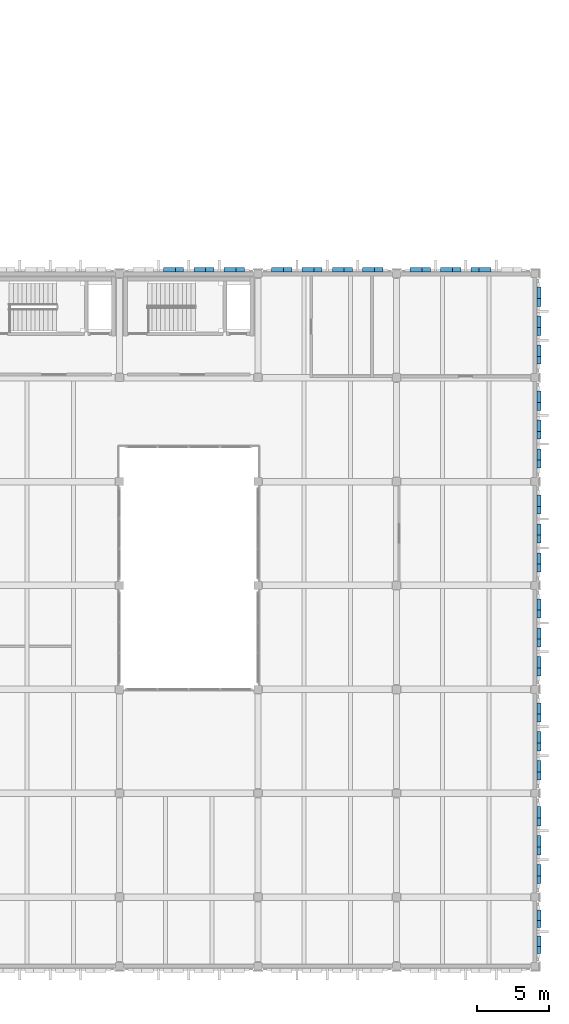
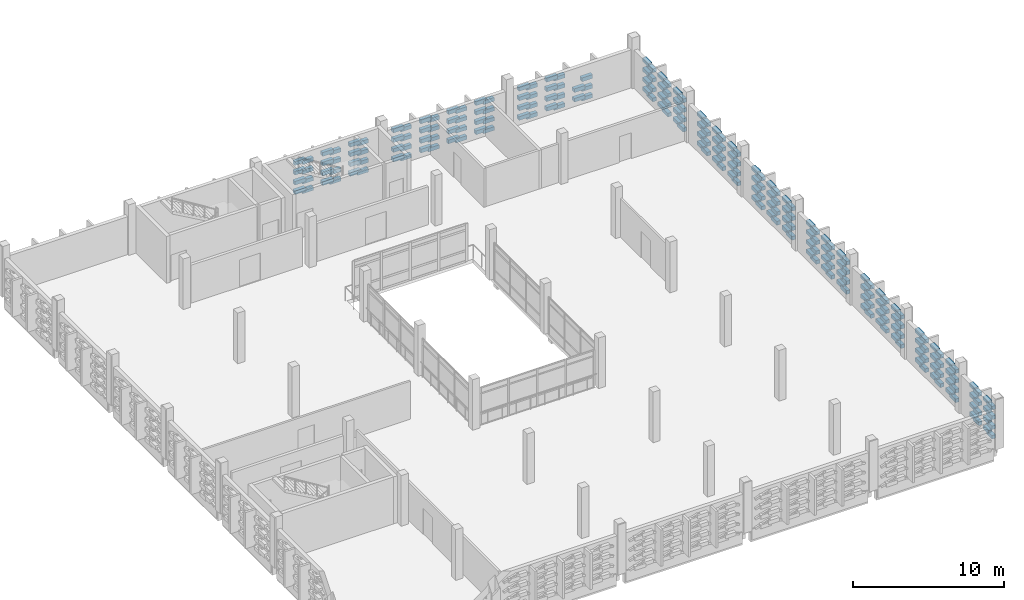
# One storey, part 51 of 72: 237 plates.
"""IFC4 building model written with IfcOpenShell, lengths in metres."""

import ifcopenshell
import ifcopenshell.guid

model = None  # the IFC model being written
_history = None  # IfcOwnerHistory: only IFC2X3 demands one
_inside = {}  # id of a spatial element -> (the spatial element, [elements in it])
_under = {}  # id of a project, library or spatial element -> (it, [spatial elements below it])
_declared = {}  # id of a project -> (the project, [libraries it declares])
_typed = {}  # id of a type object -> (the type object, [elements of that type])
_made_of = {}  # id of a material, layer set ... -> (it, [elements and type objects made of it])


def new_model(schema):
    """Start an empty IFC model of exactly this schema.

    Asked for "IFC4X3", IfcOpenShell would pick the latest addendum, in which some entities
    have other attributes; the version numbers below select the first issue.
    IFC2X3 requires an IfcOwnerHistory on every rooted entity: one is made here for all.
    """
    global model, _history
    if schema == "IFC4X3":
        model = ifcopenshell.file(schema_version=(4, 3, 0, 0))
    else:
        model = ifcopenshell.file(schema=schema)
    _inside.clear()
    _under.clear()
    _declared.clear()
    _typed.clear()
    _made_of.clear()
    _history = None
    if model.schema == "IFC2X3":
        org = make("IfcOrganization", Name="unknown")
        user = make(
            "IfcPersonAndOrganization",
            ThePerson=make("IfcPerson", FamilyName="unknown"),
            TheOrganization=org,
        )
        app = make(
            "IfcApplication",
            ApplicationDeveloper=org,
            Version="unknown",
            ApplicationFullName="unknown",
            ApplicationIdentifier="unknown",
        )
        _history = make(
            "IfcOwnerHistory",
            OwningUser=user,
            OwningApplication=app,
            ChangeAction="ADDED",
            CreationDate=0,
        )
    return model


def make(cls, **values):
    """One entity of the class cls with the attributes given. An attribute that is None is left unset."""
    return model.create_entity(
        cls, **{name: value for name, value in values.items() if value is not None}
    )


def rooted(cls, **values):
    """An entity with a GlobalId (a new one), such as an element, a storey or a relation."""
    return make(cls, GlobalId=ifcopenshell.guid.new(), OwnerHistory=_history, **values)


def si_unit(unit_type, name, prefix=None):
    """IfcSIUnit, for example si_unit("LENGTHUNIT", "METRE", prefix="MILLI")."""
    return make("IfcSIUnit", UnitType=unit_type, Prefix=prefix, Name=name)


def assignment(units):
    """IfcUnitAssignment: the units of a project."""
    return None if units is None else make("IfcUnitAssignment", Units=units)


def point(xyz):
    """IfcCartesianPoint."""
    return None if xyz is None else make("IfcCartesianPoint", Coordinates=xyz)


def direction(xyz):
    """IfcDirection."""
    return None if xyz is None else make("IfcDirection", DirectionRatios=xyz)


def frame(location, z_axis=None, x_axis=None):
    """IfcAxis2Placement3D, a coordinate frame: its origin and axes. An axis left out is left unset."""
    return make(
        "IfcAxis2Placement3D",
        Location=point(location),
        Axis=direction(z_axis),
        RefDirection=direction(x_axis),
    )


def frame_2d(location, x_axis=None):
    """IfcAxis2Placement2D, a coordinate frame in the plane: its origin and x axis."""
    return make(
        "IfcAxis2Placement2D", Location=point(location), RefDirection=direction(x_axis)
    )


def origin():
    """The frame at (0, 0, 0) with its axes left unset."""
    return frame((0.0, 0.0, 0.0))


def origin_2d():
    """The frame at (0, 0) in the plane with its x axis left unset."""
    return frame_2d((0.0, 0.0))


def place(relative_to, where):
    """IfcLocalPlacement: puts the frame where relative to a parent placement (None: the world)."""
    return make(
        "IfcLocalPlacement", PlacementRelTo=relative_to, RelativePlacement=where
    )


def context(
    kind, dimensions, precision=None, world=None, true_north=None, identifier=None
):
    """IfcGeometricRepresentationContext, for example the 3D "Model" context."""
    return make(
        "IfcGeometricRepresentationContext",
        ContextIdentifier=identifier,
        ContextType=kind,
        CoordinateSpaceDimension=dimensions,
        Precision=precision,
        WorldCoordinateSystem=world,
        TrueNorth=true_north,
    )


def subcontext(parent, identifier, kind, view, scale=None):
    """IfcGeometricRepresentationSubContext, for example "Body" below "Model"."""
    return make(
        "IfcGeometricRepresentationSubContext",
        ContextIdentifier=identifier,
        ContextType=kind,
        ParentContext=parent,
        TargetScale=scale,
        TargetView=view,
    )


def project(units=None, contexts=None):
    """IfcProject with its units and contexts."""
    return rooted(
        "IfcProject",
        Name="project",
        RepresentationContexts=contexts,
        UnitsInContext=assignment(units),
    )


def spatial(cls, under=None, at=None, **own):
    """A site, building, storey or space (cls), placed at a placement, below another one or the project."""
    s = rooted(cls, ObjectPlacement=at, **own)
    if under is not None:
        _under.setdefault(under.id(), (under, []))[1].append(s)
    return s


def profile(cls, at=None, kind="AREA", **sizes):
    """A parametric profile (cls). Its sizes go by their IFC names, for example OverallWidth=200.0."""
    return make(cls, ProfileType=kind, Position=at, **sizes)


def rectangle(**sizes):
    """IfcRectangleProfileDef."""
    return profile("IfcRectangleProfileDef", **sizes)


def extrude(swept, where, along, depth):
    """IfcExtrudedAreaSolid: the profile swept, set in the frame where, extruded along a direction by depth."""
    return make(
        "IfcExtrudedAreaSolid",
        SweptArea=swept,
        Position=where,
        ExtrudedDirection=direction(along),
        Depth=depth,
    )


def shape(context_of_items, identifier, shape_type, items):
    """IfcShapeRepresentation: the items that make up one representation, for example the "Body"."""
    return make(
        "IfcShapeRepresentation",
        ContextOfItems=context_of_items,
        RepresentationIdentifier=identifier,
        RepresentationType=shape_type,
        Items=items,
    )


def material(Name=None, Category=None):
    """IfcMaterial."""
    return make("IfcMaterial", Name=Name, Category=Category)


def layer(
    of_material, thickness, ventilated=None, Name=None, Category=None, Priority=None
):
    """IfcMaterialLayer: one layer of a wall or slab, of a material (None: an air gap)."""
    return make(
        "IfcMaterialLayer",
        Material=of_material,
        LayerThickness=thickness,
        IsVentilated=ventilated,
        Name=Name,
        Category=Category,
        Priority=Priority,
    )


def layer_set(layers, Name=None):
    """IfcMaterialLayerSet."""
    return make("IfcMaterialLayerSet", MaterialLayers=layers, LayerSetName=Name)


def made_of(thing, what):
    """Note that an element or type object is made of a material, layer set ...; save() writes the relation."""
    if what is not None:
        _made_of.setdefault(what.id(), (what, []))[1].append(thing)
    return thing


def type_object(cls, material=None, **own):
    """A type object (cls), such as IfcWallType, which elements share."""
    return made_of(rooted(cls, **own), material)


def element(
    cls,
    number,
    at=None,
    inside=None,
    cuts=None,
    type_object=None,
    material=None,
    context=None,
    identifier="Body",
    shape_type=None,
    held_by="IfcProductDefinitionShape",
    body=None,
    shapes=None,
    **own,
):
    """One element of the class cls, such as IfcWall. Its Tag is "e" and its number.

    at: its placement. inside: the storey or other place that contains it. cuts: it is an
    opening in that element (IfcRelVoidsElement). A single representation is given by context,
    identifier, shape_type and body (its items); several are given by shapes. held_by: the class
    of the entity that holds the representations. save() writes the other relations.
    """
    e = rooted(cls, Tag="e%d" % number, ObjectPlacement=at, **own)
    if body is not None:
        shapes = [shape(context, identifier, shape_type, body)]
    if shapes is not None:
        e.Representation = make(held_by, Representations=shapes)
    if inside is not None:
        _inside.setdefault(inside.id(), (inside, []))[1].append(e)
    if cuts is not None:
        rooted(
            "IfcRelVoidsElement", RelatingBuildingElement=cuts, RelatedOpeningElement=e
        )
    if type_object is not None:
        _typed.setdefault(type_object.id(), (type_object, []))[1].append(e)
    return made_of(e, material)


def aggregate(whole, parts):
    """IfcRelAggregates: a whole, such as a stair, and the parts it consists of."""
    return rooted("IfcRelAggregates", RelatingObject=whole, RelatedObjects=parts)


def save(model, path):
    """Write the relations noted so far, then the file.

    IfcRelAggregates (storeys below a building ...), IfcRelContainedInSpatialStructure (elements
    in a storey), IfcRelDefinesByType, IfcRelAssociatesMaterial and IfcRelDeclares: one each for
    every whole, place, type object, material and project.
    """
    for whole, parts in _under.values():
        aggregate(whole, parts)
    for where, things in _inside.values():
        rooted(
            "IfcRelContainedInSpatialStructure",
            RelatedElements=things,
            RelatingStructure=where,
        )
    for kind, things in _typed.values():
        rooted("IfcRelDefinesByType", RelatedObjects=things, RelatingType=kind)
    for what, things in _made_of.values():
        rooted("IfcRelAssociatesMaterial", RelatedObjects=things, RelatingMaterial=what)
    for by, libraries in _declared.values():
        rooted("IfcRelDeclares", RelatingContext=by, RelatedDefinitions=libraries)
    model.write(path)


model = new_model("IFC4")

# Units and contexts
model_context = context("Model", 3, precision=1e-05, world=origin(), true_north=direction((0.0, 1.0)))
body_context = subcontext(model_context, "Body", "Model", "MODEL_VIEW")
ifc_project = project(units=[si_unit("LENGTHUNIT", "METRE"), si_unit("AREAUNIT", "SQUARE_METRE"), si_unit("VOLUMEUNIT", "CUBIC_METRE"), si_unit("PLANEANGLEUNIT", "RADIAN"), si_unit("MASSUNIT", "GRAM", prefix="KILO")], contexts=[model_context])

# Site, building, storey
site_placement = place(None, origin())
site = spatial("IfcSite", under=ifc_project, at=site_placement, CompositionType="ELEMENT")
building_placement = place(site_placement, origin())
building = spatial("IfcBuilding", under=site, at=building_placement, Name="Asteropetra Specialist Clinic", CompositionType="ELEMENT")
storey_placement = place(building_placement, frame((0.0, 0.0, 12.580078125)))
storey = spatial("IfcBuildingStorey", under=building, at=storey_placement, Name="L03", CompositionType="ELEMENT", Elevation=12.580078125)

# Plates
ifc_material = material(Name="Aluminium 6063-T6", Category="aluminium")
ifc_layer = layer(ifc_material, 0.139892578125)
ifc_layer_set = layer_set([ifc_layer], Name="Aluminium 6063-T6")
plate_type = type_object("IfcPlateType", Name="PLT-CHV-TILE", PredefinedType="SHEET", material=ifc_layer_set)
for number, where, z_axis, x_axis, name in (
    (1, (133.04248046875, 48.277587890625, -0.00048828125), (0.0, 0.0, 1.0), (1.0, 0.0, 0.0), "Chevron Ceramic Panel CPT-1839"),
    (2, (132.465087890625, 48.277587890625, 0.12548828125), (0.0, 0.0, 1.0), (1.0, 0.0, 0.0), "Chevron Ceramic Panel CPT-1840"),
    (3, (133.04248046875, 48.277587890625, 0.76953125), (0.0, 0.0, 1.0), (1.0, 0.0, 0.0), "Chevron Ceramic Panel CPT-1841"),
    (4, (132.465087890625, 48.277587890625, 0.8955078125), (0.0, 0.0, 1.0), (1.0, 0.0, 0.0), "Chevron Ceramic Panel CPT-1842"),
    (5, (133.04248046875, 48.277587890625, 1.5693359375), (0.0, 0.0, 1.0), (1.0, 0.0, 0.0), "Chevron Ceramic Panel CPT-1843"),
    (6, (132.465087890625, 48.277587890625, 1.6953125), (0.0, 0.0, 1.0), (1.0, 0.0, 0.0), "Chevron Ceramic Panel CPT-1844"),
    (7, (133.04248046875, 48.277587890625, 2.349609375), (0.0, 0.0, 1.0), (1.0, 0.0, 0.0), "Chevron Ceramic Panel CPT-1845"),
    (8, (132.465087890625, 48.277587890625, 2.47509765625), (0.0, 0.0, 1.0), (1.0, 0.0, 0.0), "Chevron Ceramic Panel CPT-1846"),
    (9, (130.93994140625, 48.277587890625, -0.00048828125), (0.0, 0.0, 1.0), (1.0, 0.0, 0.0), "Chevron Ceramic Panel CPT-1847"),
    (10, (130.362548828125, 48.277587890625, 0.12548828125), (0.0, 0.0, 1.0), (1.0, 0.0, 0.0), "Chevron Ceramic Panel CPT-1848"),
    (11, (130.93994140625, 48.277587890625, 0.76953125), (0.0, 0.0, 1.0), (1.0, 0.0, 0.0), "Chevron Ceramic Panel CPT-1849"),
    (12, (130.362548828125, 48.277587890625, 0.8955078125), (0.0, 0.0, 1.0), (1.0, 0.0, 0.0), "Chevron Ceramic Panel CPT-1850"),
    (13, (130.93994140625, 48.277587890625, 1.5693359375), (0.0, 0.0, 1.0), (1.0, 0.0, 0.0), "Chevron Ceramic Panel CPT-1851"),
    (14, (130.362548828125, 48.277587890625, 1.6953125), (0.0, 0.0, 1.0), (1.0, 0.0, 0.0), "Chevron Ceramic Panel CPT-1852"),
    (15, (130.93994140625, 48.277587890625, 2.349609375), (0.0, 0.0, 1.0), (1.0, 0.0, 0.0), "Chevron Ceramic Panel CPT-1853"),
    (16, (130.362548828125, 48.277587890625, 2.47509765625), (0.0, 0.0, 1.0), (1.0, 0.0, 0.0), "Chevron Ceramic Panel CPT-1854"),
    (17, (128.83740234375, 48.277587890625, -0.00048828125), (0.0, 0.0, 1.0), (1.0, 0.0, 0.0), "Chevron Ceramic Panel CPT-1855"),
    (18, (128.260009765625, 48.277587890625, 0.12548828125), (0.0, 0.0, 1.0), (1.0, 0.0, 0.0), "Chevron Ceramic Panel CPT-1856"),
    (19, (128.83740234375, 48.277587890625, 0.76953125), (0.0, 0.0, 1.0), (1.0, 0.0, 0.0), "Chevron Ceramic Panel CPT-1857"),
    (20, (128.260009765625, 48.277587890625, 0.8955078125), (0.0, 0.0, 1.0), (1.0, 0.0, 0.0), "Chevron Ceramic Panel CPT-1858"),
    (21, (128.83740234375, 48.277587890625, 1.5693359375), (0.0, 0.0, 1.0), (1.0, 0.0, 0.0), "Chevron Ceramic Panel CPT-1859"),
    (22, (128.260009765625, 48.277587890625, 1.6953125), (0.0, 0.0, 1.0), (1.0, 0.0, 0.0), "Chevron Ceramic Panel CPT-1860"),
    (23, (128.83740234375, 48.277587890625, 2.349609375), (0.0, 0.0, 1.0), (1.0, 0.0, 0.0), "Chevron Ceramic Panel CPT-1861"),
    (24, (128.260009765625, 48.277587890625, 2.47509765625), (0.0, 0.0, 1.0), (1.0, 0.0, 0.0), "Chevron Ceramic Panel CPT-1862"),
    (25, (142.642578125, 48.277587890625, -0.00048828125), (0.0, 0.0, 1.0), (1.0, 0.0, 0.0), "Chevron Ceramic Panel CPT-1903"),
    (26, (142.06494140625, 48.277587890625, 0.12548828125), (0.0, 0.0, 1.0), (1.0, 0.0, 0.0), "Chevron Ceramic Panel CPT-1904"),
    (27, (142.642578125, 48.277587890625, 0.76953125), (0.0, 0.0, 1.0), (1.0, 0.0, 0.0), "Chevron Ceramic Panel CPT-1905"),
    (28, (142.06494140625, 48.277587890625, 0.8955078125), (0.0, 0.0, 1.0), (1.0, 0.0, 0.0), "Chevron Ceramic Panel CPT-1906"),
    (29, (142.642578125, 48.277587890625, 1.5693359375), (0.0, 0.0, 1.0), (1.0, 0.0, 0.0), "Chevron Ceramic Panel CPT-1907"),
    (30, (142.06494140625, 48.277587890625, 1.6953125), (0.0, 0.0, 1.0), (1.0, 0.0, 0.0), "Chevron Ceramic Panel CPT-1908"),
    (31, (142.642578125, 48.277587890625, 2.349609375), (0.0, 0.0, 1.0), (1.0, 0.0, 0.0), "Chevron Ceramic Panel CPT-1909"),
    (32, (142.06494140625, 48.277587890625, 2.47509765625), (0.0, 0.0, 1.0), (1.0, 0.0, 0.0), "Chevron Ceramic Panel CPT-1910"),
    (33, (140.5400390625, 48.277587890625, -0.00048828125), (0.0, 0.0, 1.0), (1.0, 0.0, 0.0), "Chevron Ceramic Panel CPT-1911"),
    (34, (139.96240234375, 48.277587890625, 0.12548828125), (0.0, 0.0, 1.0), (1.0, 0.0, 0.0), "Chevron Ceramic Panel CPT-1912"),
    (35, (140.5400390625, 48.277587890625, 0.76953125), (0.0, 0.0, 1.0), (1.0, 0.0, 0.0), "Chevron Ceramic Panel CPT-1913"),
    (36, (139.96240234375, 48.277587890625, 0.8955078125), (0.0, 0.0, 1.0), (1.0, 0.0, 0.0), "Chevron Ceramic Panel CPT-1914"),
    (37, (140.5400390625, 48.277587890625, 1.5693359375), (0.0, 0.0, 1.0), (1.0, 0.0, 0.0), "Chevron Ceramic Panel CPT-1915"),
    (38, (139.96240234375, 48.277587890625, 1.6953125), (0.0, 0.0, 1.0), (1.0, 0.0, 0.0), "Chevron Ceramic Panel CPT-1916"),
    (39, (140.5400390625, 48.277587890625, 2.349609375), (0.0, 0.0, 1.0), (1.0, 0.0, 0.0), "Chevron Ceramic Panel CPT-1917"),
    (40, (139.96240234375, 48.277587890625, 2.47509765625), (0.0, 0.0, 1.0), (1.0, 0.0, 0.0), "Chevron Ceramic Panel CPT-1918"),
    (41, (138.4375, 48.277587890625, -0.00048828125), (0.0, 0.0, 1.0), (1.0, 0.0, 0.0), "Chevron Ceramic Panel CPT-1919"),
    (42, (137.860107421875, 48.277587890625, 0.12548828125), (0.0, 0.0, 1.0), (1.0, 0.0, 0.0), "Chevron Ceramic Panel CPT-1920"),
    (43, (138.4375, 48.277587890625, 0.76953125), (0.0, 0.0, 1.0), (1.0, 0.0, 0.0), "Chevron Ceramic Panel CPT-1921"),
    (44, (137.860107421875, 48.277587890625, 0.8955078125), (0.0, 0.0, 1.0), (1.0, 0.0, 0.0), "Chevron Ceramic Panel CPT-1922"),
    (45, (138.4375, 48.277587890625, 1.5693359375), (0.0, 0.0, 1.0), (1.0, 0.0, 0.0), "Chevron Ceramic Panel CPT-1923"),
    (46, (137.860107421875, 48.277587890625, 1.6953125), (0.0, 0.0, 1.0), (1.0, 0.0, 0.0), "Chevron Ceramic Panel CPT-1924"),
    (47, (138.4375, 48.277587890625, 2.349609375), (0.0, 0.0, 1.0), (1.0, 0.0, 0.0), "Chevron Ceramic Panel CPT-1925"),
    (48, (137.860107421875, 48.277587890625, 2.47509765625), (0.0, 0.0, 1.0), (1.0, 0.0, 0.0), "Chevron Ceramic Panel CPT-1926"),
    (49, (136.3349609375, 48.277587890625, -0.00048828125), (0.0, 0.0, 1.0), (1.0, 0.0, 0.0), "Chevron Ceramic Panel CPT-1927"),
    (50, (135.757568359375, 48.277587890625, 0.12548828125), (0.0, 0.0, 1.0), (1.0, 0.0, 0.0), "Chevron Ceramic Panel CPT-1928"),
    (51, (136.3349609375, 48.277587890625, 0.76953125), (0.0, 0.0, 1.0), (1.0, 0.0, 0.0), "Chevron Ceramic Panel CPT-1929"),
    (52, (135.757568359375, 48.277587890625, 0.8955078125), (0.0, 0.0, 1.0), (1.0, 0.0, 0.0), "Chevron Ceramic Panel CPT-1930"),
    (53, (136.3349609375, 48.277587890625, 1.5693359375), (0.0, 0.0, 1.0), (1.0, 0.0, 0.0), "Chevron Ceramic Panel CPT-1931"),
    (54, (135.757568359375, 48.277587890625, 1.6953125), (0.0, 0.0, 1.0), (1.0, 0.0, 0.0), "Chevron Ceramic Panel CPT-1932"),
    (55, (136.3349609375, 48.277587890625, 2.349609375), (0.0, 0.0, 1.0), (1.0, 0.0, 0.0), "Chevron Ceramic Panel CPT-1933"),
    (56, (135.757568359375, 48.277587890625, 2.47509765625), (0.0, 0.0, 1.0), (1.0, 0.0, 0.0), "Chevron Ceramic Panel CPT-1934"),
    (57, (150.139892578125, 48.277587890625, -0.00048828125), (0.0, 0.0, 1.0), (1.0, 0.0, 0.0), "Chevron Ceramic Panel CPT-1975"),
    (58, (149.5625, 48.277587890625, 0.12548828125), (0.0, 0.0, 1.0), (1.0, 0.0, 0.0), "Chevron Ceramic Panel CPT-1976"),
    (59, (150.139892578125, 48.277587890625, 0.76953125), (0.0, 0.0, 1.0), (1.0, 0.0, 0.0), "Chevron Ceramic Panel CPT-1977"),
    (60, (149.5625, 48.277587890625, 0.8955078125), (0.0, 0.0, 1.0), (1.0, 0.0, 0.0), "Chevron Ceramic Panel CPT-1978"),
    (61, (150.139892578125, 48.277587890625, 1.5693359375), (0.0, 0.0, 1.0), (1.0, 0.0, 0.0), "Chevron Ceramic Panel CPT-1979"),
    (62, (148.03759765625, 48.277587890625, -0.00048828125), (0.0, 0.0, 1.0), (1.0, 0.0, 0.0), "Chevron Ceramic Panel CPT-1983"),
    (63, (147.4599609375, 48.277587890625, 0.12548828125), (0.0, 0.0, 1.0), (1.0, 0.0, 0.0), "Chevron Ceramic Panel CPT-1984"),
    (64, (148.03759765625, 48.277587890625, 0.76953125), (0.0, 0.0, 1.0), (1.0, 0.0, 0.0), "Chevron Ceramic Panel CPT-1985"),
    (65, (147.4599609375, 48.277587890625, 0.8955078125), (0.0, 0.0, 1.0), (1.0, 0.0, 0.0), "Chevron Ceramic Panel CPT-1986"),
    (66, (148.03759765625, 48.277587890625, 1.5693359375), (0.0, 0.0, 1.0), (1.0, 0.0, 0.0), "Chevron Ceramic Panel CPT-1987"),
    (67, (147.4599609375, 48.277587890625, 1.6953125), (0.0, 0.0, 1.0), (1.0, 0.0, 0.0), "Chevron Ceramic Panel CPT-1988"),
    (68, (148.03759765625, 48.277587890625, 2.349609375), (0.0, 0.0, 1.0), (1.0, 0.0, 0.0), "Chevron Ceramic Panel CPT-1989"),
    (69, (147.4599609375, 48.277587890625, 2.47509765625), (0.0, 0.0, 1.0), (1.0, 0.0, 0.0), "Chevron Ceramic Panel CPT-1990"),
    (70, (145.93505859375, 48.277587890625, -0.00048828125), (0.0, 0.0, 1.0), (1.0, 0.0, 0.0), "Chevron Ceramic Panel CPT-1991"),
    (71, (145.357421875, 48.277587890625, 0.12548828125), (0.0, 0.0, 1.0), (1.0, 0.0, 0.0), "Chevron Ceramic Panel CPT-1992"),
    (72, (145.93505859375, 48.277587890625, 0.76953125), (0.0, 0.0, 1.0), (1.0, 0.0, 0.0), "Chevron Ceramic Panel CPT-1993"),
    (73, (145.357421875, 48.277587890625, 0.8955078125), (0.0, 0.0, 1.0), (1.0, 0.0, 0.0), "Chevron Ceramic Panel CPT-1994"),
    (74, (145.93505859375, 48.277587890625, 1.5693359375), (0.0, 0.0, 1.0), (1.0, 0.0, 0.0), "Chevron Ceramic Panel CPT-1995"),
    (75, (145.357421875, 48.277587890625, 1.6953125), (0.0, 0.0, 1.0), (1.0, 0.0, 0.0), "Chevron Ceramic Panel CPT-1996"),
    (76, (145.93505859375, 48.277587890625, 2.349609375), (0.0, 0.0, 1.0), (1.0, 0.0, 0.0), "Chevron Ceramic Panel CPT-1997"),
    (77, (145.357421875, 48.277587890625, 2.47509765625), (0.0, 0.0, 1.0), (1.0, 0.0, 0.0), "Chevron Ceramic Panel CPT-1998"),
):
    element("IfcPlate", number, at=place(storey_placement, frame(where, z_axis=z_axis, x_axis=x_axis)), inside=storey, type_object=plate_type, Name=name, PredefinedType="SHEET", context=body_context, shape_type="SweptSolid", body=[
        extrude(rectangle(XDim=0.824951171875, YDim=0.280029296875, at=origin_2d()), origin(), (0.0, 0.0, 1.0), 0.300048828125),
    ])
for number, where, z_axis, x_axis, name in (
    (78, (153.87744140625, 1.25048828125, -0.00732421875), (0.0, 0.0, 1.0), (1.0, 0.0, 0.0), "Chevron Ceramic Panel CPT-2015"),
    (79, (153.87744140625, 1.74462890625, 0.10107421875), (0.0, 0.0, 1.0), (1.0, 0.0, 0.0), "Chevron Ceramic Panel CPT-2016"),
    (80, (153.87744140625, 1.25048828125, 0.7626953125), (0.0, 0.0, 1.0), (1.0, 0.0, 0.0), "Chevron Ceramic Panel CPT-2017"),
    (81, (153.87744140625, 1.74462890625, 0.87109375), (0.0, 0.0, 1.0), (1.0, 0.0, 0.0), "Chevron Ceramic Panel CPT-2018"),
    (82, (153.87744140625, 1.25048828125, 1.56298828125), (0.0, 0.0, 1.0), (1.0, 0.0, 0.0), "Chevron Ceramic Panel CPT-2019"),
    (83, (153.87744140625, 1.74462890625, 1.6708984375), (0.0, 0.0, 1.0), (1.0, 0.0, 0.0), "Chevron Ceramic Panel CPT-2020"),
    (84, (153.87744140625, 1.25048828125, 2.3427734375), (0.0, 0.0, 1.0), (1.0, 0.0, 0.0), "Chevron Ceramic Panel CPT-2021"),
    (85, (153.87744140625, 1.74462890625, 2.451171875), (0.0, 0.0, 1.0), (1.0, 0.0, 0.0), "Chevron Ceramic Panel CPT-2022"),
    (86, (153.87744140625, 3.055419921875, -0.00732421875), (0.0, 0.0, 1.0), (1.0, 0.0, 0.0), "Chevron Ceramic Panel CPT-2023"),
    (87, (153.87744140625, 3.549560546875, 0.10107421875), (0.0, 0.0, 1.0), (1.0, 0.0, 0.0), "Chevron Ceramic Panel CPT-2024"),
    (88, (153.87744140625, 3.055419921875, 0.7626953125), (0.0, 0.0, 1.0), (1.0, 0.0, 0.0), "Chevron Ceramic Panel CPT-2025"),
    (89, (153.87744140625, 3.549560546875, 0.87109375), (0.0, 0.0, 1.0), (1.0, 0.0, 0.0), "Chevron Ceramic Panel CPT-2026"),
    (90, (153.87744140625, 3.055419921875, 1.56298828125), (0.0, 0.0, 1.0), (1.0, 0.0, 0.0), "Chevron Ceramic Panel CPT-2027"),
    (91, (153.87744140625, 3.549560546875, 1.6708984375), (0.0, 0.0, 1.0), (1.0, 0.0, 0.0), "Chevron Ceramic Panel CPT-2028"),
    (92, (153.87744140625, 3.055419921875, 2.3427734375), (0.0, 0.0, 1.0), (1.0, 0.0, 0.0), "Chevron Ceramic Panel CPT-2029"),
    (93, (153.87744140625, 3.549560546875, 2.451171875), (0.0, 0.0, 1.0), (1.0, 0.0, 0.0), "Chevron Ceramic Panel CPT-2030"),
):
    element("IfcPlate", number, at=place(storey_placement, frame(where, z_axis=z_axis, x_axis=x_axis)), inside=storey, type_object=plate_type, Name=name, PredefinedType="SHEET", context=body_context, shape_type="SweptSolid", body=[
        extrude(rectangle(XDim=0.280029296875, YDim=0.7060546875, at=origin_2d()), origin(), (0.0, 0.0, 1.0), 0.284912109375),
    ])
for number, where, z_axis, x_axis, name in (
    (94, (153.87744140625, 6.121826171875, -0.00537109375), (0.0, 0.0, 1.0), (1.0, 0.0, 0.0), "Chevron Ceramic Panel CPT-2055"),
    (95, (153.87744140625, 6.67138671875, 0.11474609375), (0.0, 0.0, 1.0), (1.0, 0.0, 0.0), "Chevron Ceramic Panel CPT-2056"),
    (96, (153.87744140625, 6.121826171875, 0.7646484375), (0.0, 0.0, 1.0), (1.0, 0.0, 0.0), "Chevron Ceramic Panel CPT-2057"),
    (97, (153.87744140625, 6.67138671875, 0.884765625), (0.0, 0.0, 1.0), (1.0, 0.0, 0.0), "Chevron Ceramic Panel CPT-2058"),
    (98, (153.87744140625, 6.121826171875, 1.564453125), (0.0, 0.0, 1.0), (1.0, 0.0, 0.0), "Chevron Ceramic Panel CPT-2059"),
    (99, (153.87744140625, 6.67138671875, 1.6845703125), (0.0, 0.0, 1.0), (1.0, 0.0, 0.0), "Chevron Ceramic Panel CPT-2060"),
    (100, (153.87744140625, 6.121826171875, 2.3447265625), (0.0, 0.0, 1.0), (1.0, 0.0, 0.0), "Chevron Ceramic Panel CPT-2061"),
    (101, (153.87744140625, 6.67138671875, 2.46435546875), (0.0, 0.0, 1.0), (1.0, 0.0, 0.0), "Chevron Ceramic Panel CPT-2062"),
    (102, (153.87744140625, 8.125, -0.00537109375), (0.0, 0.0, 1.0), (1.0, 0.0, 0.0), "Chevron Ceramic Panel CPT-2063"),
    (103, (153.87744140625, 8.6748046875, 0.11474609375), (0.0, 0.0, 1.0), (1.0, 0.0, 0.0), "Chevron Ceramic Panel CPT-2064"),
    (104, (153.87744140625, 8.125, 0.7646484375), (0.0, 0.0, 1.0), (1.0, 0.0, 0.0), "Chevron Ceramic Panel CPT-2065"),
    (105, (153.87744140625, 8.6748046875, 0.884765625), (0.0, 0.0, 1.0), (1.0, 0.0, 0.0), "Chevron Ceramic Panel CPT-2066"),
    (106, (153.87744140625, 8.125, 1.564453125), (0.0, 0.0, 1.0), (1.0, 0.0, 0.0), "Chevron Ceramic Panel CPT-2067"),
    (107, (153.87744140625, 8.6748046875, 1.6845703125), (0.0, 0.0, 1.0), (1.0, 0.0, 0.0), "Chevron Ceramic Panel CPT-2068"),
    (108, (153.87744140625, 8.125, 2.3447265625), (0.0, 0.0, 1.0), (1.0, 0.0, 0.0), "Chevron Ceramic Panel CPT-2069"),
    (109, (153.87744140625, 8.6748046875, 2.46435546875), (0.0, 0.0, 1.0), (1.0, 0.0, 0.0), "Chevron Ceramic Panel CPT-2070"),
    (110, (153.87744140625, 10.12841796875, -0.00537109375), (0.0, 0.0, 1.0), (1.0, 0.0, 0.0), "Chevron Ceramic Panel CPT-2071"),
    (111, (153.87744140625, 10.67822265625, 0.11474609375), (0.0, 0.0, 1.0), (1.0, 0.0, 0.0), "Chevron Ceramic Panel CPT-2072"),
    (112, (153.87744140625, 10.12841796875, 0.7646484375), (0.0, 0.0, 1.0), (1.0, 0.0, 0.0), "Chevron Ceramic Panel CPT-2073"),
    (113, (153.87744140625, 10.67822265625, 0.884765625), (0.0, 0.0, 1.0), (1.0, 0.0, 0.0), "Chevron Ceramic Panel CPT-2074"),
    (114, (153.87744140625, 10.12841796875, 1.564453125), (0.0, 0.0, 1.0), (1.0, 0.0, 0.0), "Chevron Ceramic Panel CPT-2075"),
    (115, (153.87744140625, 10.67822265625, 1.6845703125), (0.0, 0.0, 1.0), (1.0, 0.0, 0.0), "Chevron Ceramic Panel CPT-2076"),
    (116, (153.87744140625, 10.12841796875, 2.3447265625), (0.0, 0.0, 1.0), (1.0, 0.0, 0.0), "Chevron Ceramic Panel CPT-2077"),
    (117, (153.87744140625, 10.67822265625, 2.46435546875), (0.0, 0.0, 1.0), (1.0, 0.0, 0.0), "Chevron Ceramic Panel CPT-2078"),
    (118, (153.87744140625, 13.32177734375, -0.00537109375), (0.0, 0.0, 1.0), (1.0, 0.0, 0.0), "Chevron Ceramic Panel CPT-2103"),
    (119, (153.87744140625, 13.87158203125, 0.11474609375), (0.0, 0.0, 1.0), (1.0, 0.0, 0.0), "Chevron Ceramic Panel CPT-2104"),
    (120, (153.87744140625, 13.32177734375, 0.7646484375), (0.0, 0.0, 1.0), (1.0, 0.0, 0.0), "Chevron Ceramic Panel CPT-2105"),
    (121, (153.87744140625, 13.87158203125, 0.884765625), (0.0, 0.0, 1.0), (1.0, 0.0, 0.0), "Chevron Ceramic Panel CPT-2106"),
    (122, (153.87744140625, 13.32177734375, 1.564453125), (0.0, 0.0, 1.0), (1.0, 0.0, 0.0), "Chevron Ceramic Panel CPT-2107"),
    (123, (153.87744140625, 13.87158203125, 1.6845703125), (0.0, 0.0, 1.0), (1.0, 0.0, 0.0), "Chevron Ceramic Panel CPT-2108"),
    (124, (153.87744140625, 13.32177734375, 2.3447265625), (0.0, 0.0, 1.0), (1.0, 0.0, 0.0), "Chevron Ceramic Panel CPT-2109"),
    (125, (153.87744140625, 13.87158203125, 2.46435546875), (0.0, 0.0, 1.0), (1.0, 0.0, 0.0), "Chevron Ceramic Panel CPT-2110"),
    (126, (153.87744140625, 15.3251953125, -0.00537109375), (0.0, 0.0, 1.0), (1.0, 0.0, 0.0), "Chevron Ceramic Panel CPT-2111"),
    (127, (153.87744140625, 15.875, 0.11474609375), (0.0, 0.0, 1.0), (1.0, 0.0, 0.0), "Chevron Ceramic Panel CPT-2112"),
    (128, (153.87744140625, 15.3251953125, 0.7646484375), (0.0, 0.0, 1.0), (1.0, 0.0, 0.0), "Chevron Ceramic Panel CPT-2113"),
    (129, (153.87744140625, 15.875, 0.884765625), (0.0, 0.0, 1.0), (1.0, 0.0, 0.0), "Chevron Ceramic Panel CPT-2114"),
    (130, (153.87744140625, 15.3251953125, 1.564453125), (0.0, 0.0, 1.0), (1.0, 0.0, 0.0), "Chevron Ceramic Panel CPT-2115"),
    (131, (153.87744140625, 15.875, 1.6845703125), (0.0, 0.0, 1.0), (1.0, 0.0, 0.0), "Chevron Ceramic Panel CPT-2116"),
    (132, (153.87744140625, 15.3251953125, 2.3447265625), (0.0, 0.0, 1.0), (1.0, 0.0, 0.0), "Chevron Ceramic Panel CPT-2117"),
    (133, (153.87744140625, 15.875, 2.46435546875), (0.0, 0.0, 1.0), (1.0, 0.0, 0.0), "Chevron Ceramic Panel CPT-2118"),
    (134, (153.87744140625, 17.32861328125, -0.00537109375), (0.0, 0.0, 1.0), (1.0, 0.0, 0.0), "Chevron Ceramic Panel CPT-2119"),
    (135, (153.87744140625, 17.878173828125, 0.11474609375), (0.0, 0.0, 1.0), (1.0, 0.0, 0.0), "Chevron Ceramic Panel CPT-2120"),
    (136, (153.87744140625, 17.32861328125, 0.7646484375), (0.0, 0.0, 1.0), (1.0, 0.0, 0.0), "Chevron Ceramic Panel CPT-2121"),
    (137, (153.87744140625, 17.878173828125, 0.884765625), (0.0, 0.0, 1.0), (1.0, 0.0, 0.0), "Chevron Ceramic Panel CPT-2122"),
    (138, (153.87744140625, 17.32861328125, 1.564453125), (0.0, 0.0, 1.0), (1.0, 0.0, 0.0), "Chevron Ceramic Panel CPT-2123"),
    (139, (153.87744140625, 17.878173828125, 1.6845703125), (0.0, 0.0, 1.0), (1.0, 0.0, 0.0), "Chevron Ceramic Panel CPT-2124"),
    (140, (153.87744140625, 17.32861328125, 2.3447265625), (0.0, 0.0, 1.0), (1.0, 0.0, 0.0), "Chevron Ceramic Panel CPT-2125"),
    (141, (153.87744140625, 17.878173828125, 2.46435546875), (0.0, 0.0, 1.0), (1.0, 0.0, 0.0), "Chevron Ceramic Panel CPT-2126"),
    (142, (153.87744140625, 20.521728515625, -0.00537109375), (0.0, 0.0, 1.0), (1.0, 0.0, 0.0), "Chevron Ceramic Panel CPT-2151"),
    (143, (153.87744140625, 21.071533203125, 0.11474609375), (0.0, 0.0, 1.0), (1.0, 0.0, 0.0), "Chevron Ceramic Panel CPT-2152"),
    (144, (153.87744140625, 20.521728515625, 0.7646484375), (0.0, 0.0, 1.0), (1.0, 0.0, 0.0), "Chevron Ceramic Panel CPT-2153"),
    (145, (153.87744140625, 21.071533203125, 0.884765625), (0.0, 0.0, 1.0), (1.0, 0.0, 0.0), "Chevron Ceramic Panel CPT-2154"),
    (146, (153.87744140625, 20.521728515625, 1.564453125), (0.0, 0.0, 1.0), (1.0, 0.0, 0.0), "Chevron Ceramic Panel CPT-2155"),
    (147, (153.87744140625, 21.071533203125, 1.6845703125), (0.0, 0.0, 1.0), (1.0, 0.0, 0.0), "Chevron Ceramic Panel CPT-2156"),
    (148, (153.87744140625, 20.521728515625, 2.3447265625), (0.0, 0.0, 1.0), (1.0, 0.0, 0.0), "Chevron Ceramic Panel CPT-2157"),
    (149, (153.87744140625, 21.071533203125, 2.46435546875), (0.0, 0.0, 1.0), (1.0, 0.0, 0.0), "Chevron Ceramic Panel CPT-2158"),
    (150, (153.87744140625, 22.525146484375, -0.00537109375), (0.0, 0.0, 1.0), (1.0, 0.0, 0.0), "Chevron Ceramic Panel CPT-2159"),
    (151, (153.87744140625, 23.074951171875, 0.11474609375), (0.0, 0.0, 1.0), (1.0, 0.0, 0.0), "Chevron Ceramic Panel CPT-2160"),
    (152, (153.87744140625, 22.525146484375, 0.7646484375), (0.0, 0.0, 1.0), (1.0, 0.0, 0.0), "Chevron Ceramic Panel CPT-2161"),
    (153, (153.87744140625, 23.074951171875, 0.884765625), (0.0, 0.0, 1.0), (1.0, 0.0, 0.0), "Chevron Ceramic Panel CPT-2162"),
    (154, (153.87744140625, 22.525146484375, 1.564453125), (0.0, 0.0, 1.0), (1.0, 0.0, 0.0), "Chevron Ceramic Panel CPT-2163"),
    (155, (153.87744140625, 23.074951171875, 1.6845703125), (0.0, 0.0, 1.0), (1.0, 0.0, 0.0), "Chevron Ceramic Panel CPT-2164"),
    (156, (153.87744140625, 22.525146484375, 2.3447265625), (0.0, 0.0, 1.0), (1.0, 0.0, 0.0), "Chevron Ceramic Panel CPT-2165"),
    (157, (153.87744140625, 23.074951171875, 2.46435546875), (0.0, 0.0, 1.0), (1.0, 0.0, 0.0), "Chevron Ceramic Panel CPT-2166"),
    (158, (153.87744140625, 24.528564453125, -0.00537109375), (0.0, 0.0, 1.0), (1.0, 0.0, 0.0), "Chevron Ceramic Panel CPT-2167"),
    (159, (153.87744140625, 25.078125, 0.11474609375), (0.0, 0.0, 1.0), (1.0, 0.0, 0.0), "Chevron Ceramic Panel CPT-2168"),
    (160, (153.87744140625, 24.528564453125, 0.7646484375), (0.0, 0.0, 1.0), (1.0, 0.0, 0.0), "Chevron Ceramic Panel CPT-2169"),
    (161, (153.87744140625, 25.078125, 0.884765625), (0.0, 0.0, 1.0), (1.0, 0.0, 0.0), "Chevron Ceramic Panel CPT-2170"),
    (162, (153.87744140625, 24.528564453125, 1.564453125), (0.0, 0.0, 1.0), (1.0, 0.0, 0.0), "Chevron Ceramic Panel CPT-2171"),
    (163, (153.87744140625, 25.078125, 1.6845703125), (0.0, 0.0, 1.0), (1.0, 0.0, 0.0), "Chevron Ceramic Panel CPT-2172"),
    (164, (153.87744140625, 24.528564453125, 2.3447265625), (0.0, 0.0, 1.0), (1.0, 0.0, 0.0), "Chevron Ceramic Panel CPT-2173"),
    (165, (153.87744140625, 25.078125, 2.46435546875), (0.0, 0.0, 1.0), (1.0, 0.0, 0.0), "Chevron Ceramic Panel CPT-2174"),
    (166, (153.87744140625, 27.7216796875, -0.00537109375), (0.0, 0.0, 1.0), (1.0, 0.0, 0.0), "Chevron Ceramic Panel CPT-2199"),
    (167, (153.87744140625, 28.271484375, 0.11474609375), (0.0, 0.0, 1.0), (1.0, 0.0, 0.0), "Chevron Ceramic Panel CPT-2200"),
    (168, (153.87744140625, 27.7216796875, 0.7646484375), (0.0, 0.0, 1.0), (1.0, 0.0, 0.0), "Chevron Ceramic Panel CPT-2201"),
    (169, (153.87744140625, 28.271484375, 0.884765625), (0.0, 0.0, 1.0), (1.0, 0.0, 0.0), "Chevron Ceramic Panel CPT-2202"),
    (170, (153.87744140625, 27.7216796875, 1.564453125), (0.0, 0.0, 1.0), (1.0, 0.0, 0.0), "Chevron Ceramic Panel CPT-2203"),
    (171, (153.87744140625, 28.271484375, 1.6845703125), (0.0, 0.0, 1.0), (1.0, 0.0, 0.0), "Chevron Ceramic Panel CPT-2204"),
    (172, (153.87744140625, 27.7216796875, 2.3447265625), (0.0, 0.0, 1.0), (1.0, 0.0, 0.0), "Chevron Ceramic Panel CPT-2205"),
    (173, (153.87744140625, 28.271484375, 2.46435546875), (0.0, 0.0, 1.0), (1.0, 0.0, 0.0), "Chevron Ceramic Panel CPT-2206"),
    (174, (153.87744140625, 29.72509765625, -0.00537109375), (0.0, 0.0, 1.0), (1.0, 0.0, 0.0), "Chevron Ceramic Panel CPT-2207"),
    (175, (153.87744140625, 30.27490234375, 0.11474609375), (0.0, 0.0, 1.0), (1.0, 0.0, 0.0), "Chevron Ceramic Panel CPT-2208"),
    (176, (153.87744140625, 29.72509765625, 0.7646484375), (0.0, 0.0, 1.0), (1.0, 0.0, 0.0), "Chevron Ceramic Panel CPT-2209"),
    (177, (153.87744140625, 30.27490234375, 0.884765625), (0.0, 0.0, 1.0), (1.0, 0.0, 0.0), "Chevron Ceramic Panel CPT-2210"),
    (178, (153.87744140625, 29.72509765625, 1.564453125), (0.0, 0.0, 1.0), (1.0, 0.0, 0.0), "Chevron Ceramic Panel CPT-2211"),
    (179, (153.87744140625, 30.27490234375, 1.6845703125), (0.0, 0.0, 1.0), (1.0, 0.0, 0.0), "Chevron Ceramic Panel CPT-2212"),
    (180, (153.87744140625, 29.72509765625, 2.3447265625), (0.0, 0.0, 1.0), (1.0, 0.0, 0.0), "Chevron Ceramic Panel CPT-2213"),
    (181, (153.87744140625, 30.27490234375, 2.46435546875), (0.0, 0.0, 1.0), (1.0, 0.0, 0.0), "Chevron Ceramic Panel CPT-2214"),
    (182, (153.87744140625, 31.728515625, -0.00537109375), (0.0, 0.0, 1.0), (1.0, 0.0, 0.0), "Chevron Ceramic Panel CPT-2215"),
    (183, (153.87744140625, 32.2783203125, 0.11474609375), (0.0, 0.0, 1.0), (1.0, 0.0, 0.0), "Chevron Ceramic Panel CPT-2216"),
    (184, (153.87744140625, 31.728515625, 0.7646484375), (0.0, 0.0, 1.0), (1.0, 0.0, 0.0), "Chevron Ceramic Panel CPT-2217"),
    (185, (153.87744140625, 32.2783203125, 0.884765625), (0.0, 0.0, 1.0), (1.0, 0.0, 0.0), "Chevron Ceramic Panel CPT-2218"),
    (186, (153.87744140625, 31.728515625, 1.564453125), (0.0, 0.0, 1.0), (1.0, 0.0, 0.0), "Chevron Ceramic Panel CPT-2219"),
    (187, (153.87744140625, 32.2783203125, 1.6845703125), (0.0, 0.0, 1.0), (1.0, 0.0, 0.0), "Chevron Ceramic Panel CPT-2220"),
    (188, (153.87744140625, 31.728515625, 2.3447265625), (0.0, 0.0, 1.0), (1.0, 0.0, 0.0), "Chevron Ceramic Panel CPT-2221"),
    (189, (153.87744140625, 32.2783203125, 2.46435546875), (0.0, 0.0, 1.0), (1.0, 0.0, 0.0), "Chevron Ceramic Panel CPT-2222"),
    (190, (153.87744140625, 34.921875, -0.00537109375), (0.0, 0.0, 1.0), (1.0, 0.0, 0.0), "Chevron Ceramic Panel CPT-2247"),
    (191, (153.87744140625, 35.471435546875, 0.11474609375), (0.0, 0.0, 1.0), (1.0, 0.0, 0.0), "Chevron Ceramic Panel CPT-2248"),
    (192, (153.87744140625, 34.921875, 0.7646484375), (0.0, 0.0, 1.0), (1.0, 0.0, 0.0), "Chevron Ceramic Panel CPT-2249"),
    (193, (153.87744140625, 35.471435546875, 0.884765625), (0.0, 0.0, 1.0), (1.0, 0.0, 0.0), "Chevron Ceramic Panel CPT-2250"),
    (194, (153.87744140625, 34.921875, 1.564453125), (0.0, 0.0, 1.0), (1.0, 0.0, 0.0), "Chevron Ceramic Panel CPT-2251"),
    (195, (153.87744140625, 35.471435546875, 1.6845703125), (0.0, 0.0, 1.0), (1.0, 0.0, 0.0), "Chevron Ceramic Panel CPT-2252"),
    (196, (153.87744140625, 34.921875, 2.3447265625), (0.0, 0.0, 1.0), (1.0, 0.0, 0.0), "Chevron Ceramic Panel CPT-2253"),
    (197, (153.87744140625, 35.471435546875, 2.46435546875), (0.0, 0.0, 1.0), (1.0, 0.0, 0.0), "Chevron Ceramic Panel CPT-2254"),
    (198, (153.87744140625, 36.925048828125, -0.00537109375), (0.0, 0.0, 1.0), (1.0, 0.0, 0.0), "Chevron Ceramic Panel CPT-2255"),
    (199, (153.87744140625, 37.474853515625, 0.11474609375), (0.0, 0.0, 1.0), (1.0, 0.0, 0.0), "Chevron Ceramic Panel CPT-2256"),
    (200, (153.87744140625, 36.925048828125, 0.7646484375), (0.0, 0.0, 1.0), (1.0, 0.0, 0.0), "Chevron Ceramic Panel CPT-2257"),
    (201, (153.87744140625, 37.474853515625, 0.884765625), (0.0, 0.0, 1.0), (1.0, 0.0, 0.0), "Chevron Ceramic Panel CPT-2258"),
    (202, (153.87744140625, 36.925048828125, 1.564453125), (0.0, 0.0, 1.0), (1.0, 0.0, 0.0), "Chevron Ceramic Panel CPT-2259"),
    (203, (153.87744140625, 37.474853515625, 1.6845703125), (0.0, 0.0, 1.0), (1.0, 0.0, 0.0), "Chevron Ceramic Panel CPT-2260"),
    (204, (153.87744140625, 36.925048828125, 2.3447265625), (0.0, 0.0, 1.0), (1.0, 0.0, 0.0), "Chevron Ceramic Panel CPT-2261"),
    (205, (153.87744140625, 37.474853515625, 2.46435546875), (0.0, 0.0, 1.0), (1.0, 0.0, 0.0), "Chevron Ceramic Panel CPT-2262"),
    (206, (153.87744140625, 38.928466796875, -0.00537109375), (0.0, 0.0, 1.0), (1.0, 0.0, 0.0), "Chevron Ceramic Panel CPT-2263"),
    (207, (153.87744140625, 39.478271484375, 0.11474609375), (0.0, 0.0, 1.0), (1.0, 0.0, 0.0), "Chevron Ceramic Panel CPT-2264"),
    (208, (153.87744140625, 38.928466796875, 0.7646484375), (0.0, 0.0, 1.0), (1.0, 0.0, 0.0), "Chevron Ceramic Panel CPT-2265"),
    (209, (153.87744140625, 39.478271484375, 0.884765625), (0.0, 0.0, 1.0), (1.0, 0.0, 0.0), "Chevron Ceramic Panel CPT-2266"),
    (210, (153.87744140625, 38.928466796875, 1.564453125), (0.0, 0.0, 1.0), (1.0, 0.0, 0.0), "Chevron Ceramic Panel CPT-2267"),
    (211, (153.87744140625, 39.478271484375, 1.6845703125), (0.0, 0.0, 1.0), (1.0, 0.0, 0.0), "Chevron Ceramic Panel CPT-2268"),
    (212, (153.87744140625, 38.928466796875, 2.3447265625), (0.0, 0.0, 1.0), (1.0, 0.0, 0.0), "Chevron Ceramic Panel CPT-2269"),
    (213, (153.87744140625, 39.478271484375, 2.46435546875), (0.0, 0.0, 1.0), (1.0, 0.0, 0.0), "Chevron Ceramic Panel CPT-2270"),
    (214, (153.87744140625, 42.121826171875, -0.00537109375), (0.0, 0.0, 1.0), (1.0, 0.0, 0.0), "Chevron Ceramic Panel CPT-2295"),
    (215, (153.87744140625, 42.67138671875, 0.11474609375), (0.0, 0.0, 1.0), (1.0, 0.0, 0.0), "Chevron Ceramic Panel CPT-2296"),
    (216, (153.87744140625, 42.121826171875, 0.7646484375), (0.0, 0.0, 1.0), (1.0, 0.0, 0.0), "Chevron Ceramic Panel CPT-2297"),
    (217, (153.87744140625, 42.67138671875, 0.884765625), (0.0, 0.0, 1.0), (1.0, 0.0, 0.0), "Chevron Ceramic Panel CPT-2298"),
    (218, (153.87744140625, 42.121826171875, 1.564453125), (0.0, 0.0, 1.0), (1.0, 0.0, 0.0), "Chevron Ceramic Panel CPT-2299"),
    (219, (153.87744140625, 42.67138671875, 1.6845703125), (0.0, 0.0, 1.0), (1.0, 0.0, 0.0), "Chevron Ceramic Panel CPT-2300"),
    (220, (153.87744140625, 42.121826171875, 2.3447265625), (0.0, 0.0, 1.0), (1.0, 0.0, 0.0), "Chevron Ceramic Panel CPT-2301"),
    (221, (153.87744140625, 42.67138671875, 2.46435546875), (0.0, 0.0, 1.0), (1.0, 0.0, 0.0), "Chevron Ceramic Panel CPT-2302"),
    (222, (153.87744140625, 44.125, -0.00537109375), (0.0, 0.0, 1.0), (1.0, 0.0, 0.0), "Chevron Ceramic Panel CPT-2303"),
    (223, (153.87744140625, 44.6748046875, 0.11474609375), (0.0, 0.0, 1.0), (1.0, 0.0, 0.0), "Chevron Ceramic Panel CPT-2304"),
    (224, (153.87744140625, 44.125, 0.7646484375), (0.0, 0.0, 1.0), (1.0, 0.0, 0.0), "Chevron Ceramic Panel CPT-2305"),
    (225, (153.87744140625, 44.6748046875, 0.884765625), (0.0, 0.0, 1.0), (1.0, 0.0, 0.0), "Chevron Ceramic Panel CPT-2306"),
    (226, (153.87744140625, 44.125, 1.564453125), (0.0, 0.0, 1.0), (1.0, 0.0, 0.0), "Chevron Ceramic Panel CPT-2307"),
    (227, (153.87744140625, 44.6748046875, 1.6845703125), (0.0, 0.0, 1.0), (1.0, 0.0, 0.0), "Chevron Ceramic Panel CPT-2308"),
    (228, (153.87744140625, 44.125, 2.3447265625), (0.0, 0.0, 1.0), (1.0, 0.0, 0.0), "Chevron Ceramic Panel CPT-2309"),
    (229, (153.87744140625, 44.6748046875, 2.46435546875), (0.0, 0.0, 1.0), (1.0, 0.0, 0.0), "Chevron Ceramic Panel CPT-2310"),
    (230, (153.87744140625, 46.12841796875, -0.00537109375), (0.0, 0.0, 1.0), (1.0, 0.0, 0.0), "Chevron Ceramic Panel CPT-2311"),
    (231, (153.87744140625, 46.67822265625, 0.11474609375), (0.0, 0.0, 1.0), (1.0, 0.0, 0.0), "Chevron Ceramic Panel CPT-2312"),
    (232, (153.87744140625, 46.12841796875, 0.7646484375), (0.0, 0.0, 1.0), (1.0, 0.0, 0.0), "Chevron Ceramic Panel CPT-2313"),
    (233, (153.87744140625, 46.67822265625, 0.884765625), (0.0, 0.0, 1.0), (1.0, 0.0, 0.0), "Chevron Ceramic Panel CPT-2314"),
    (234, (153.87744140625, 46.12841796875, 1.564453125), (0.0, 0.0, 1.0), (1.0, 0.0, 0.0), "Chevron Ceramic Panel CPT-2315"),
    (235, (153.87744140625, 46.67822265625, 1.6845703125), (0.0, 0.0, 1.0), (1.0, 0.0, 0.0), "Chevron Ceramic Panel CPT-2316"),
    (236, (153.87744140625, 46.12841796875, 2.3447265625), (0.0, 0.0, 1.0), (1.0, 0.0, 0.0), "Chevron Ceramic Panel CPT-2317"),
    (237, (153.87744140625, 46.67822265625, 2.46435546875), (0.0, 0.0, 1.0), (1.0, 0.0, 0.0), "Chevron Ceramic Panel CPT-2318"),
):
    element("IfcPlate", number, at=place(storey_placement, frame(where, z_axis=z_axis, x_axis=x_axis)), inside=storey, type_object=plate_type, Name=name, PredefinedType="SHEET", context=body_context, shape_type="SweptSolid", body=[
        extrude(rectangle(XDim=0.280029296875, YDim=0.784912109375, at=origin_2d()), origin(), (0.0, 0.0, 1.0), 0.300048828125),
    ])

save(model, "model.ifc")
